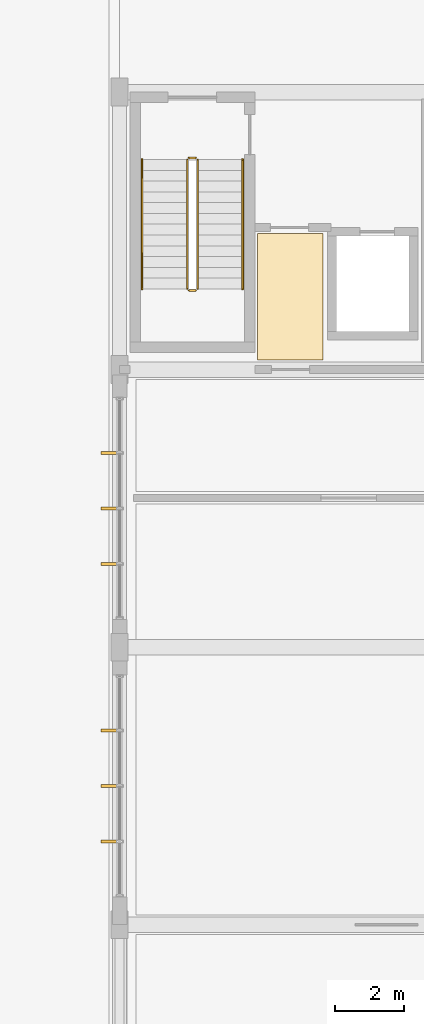
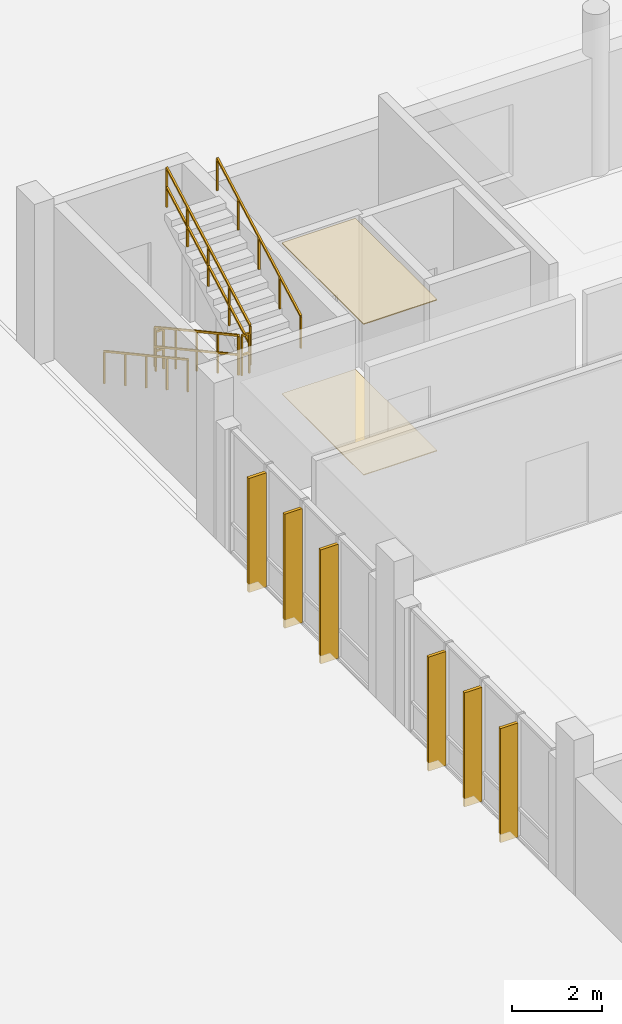
# One storey, part 219 of 233: 6 railings, 6 shading devices, 2 coverings.
"""IFC4 building model written with IfcOpenShell, lengths in metres."""

from ifc_helpers import new_model, si_unit, direction, frame, origin, origin_2d, place, context, subcontext, project, spatial, polyline, rectangle, outline, extrude, material, layer, layer_set, type_object, element, save


model = new_model("IFC4")

# Units and contexts
model_context = context("Model", 3, precision=1e-05, world=origin(), true_north=direction((0.0, 1.0)))
body_context = subcontext(model_context, "Body", "Model", "MODEL_VIEW")
ifc_project = project(units=[si_unit("LENGTHUNIT", "METRE"), si_unit("AREAUNIT", "SQUARE_METRE"), si_unit("VOLUMEUNIT", "CUBIC_METRE"), si_unit("PLANEANGLEUNIT", "RADIAN"), si_unit("MASSUNIT", "GRAM", prefix="KILO")], contexts=[model_context])

# Site, building, storey
site_placement = place(None, origin())
site = spatial("IfcSite", under=ifc_project, at=site_placement, CompositionType="ELEMENT")
building_placement = place(site_placement, origin())
building = spatial("IfcBuilding", under=site, at=building_placement, Name="Zavelmont Quarter", CompositionType="ELEMENT")
storey_placement = place(building_placement, origin())
storey = spatial("IfcBuildingStorey", under=building, at=storey_placement, Name="L00", CompositionType="ELEMENT", Elevation=0.0)

# Coverings
ifc_material_1 = material(Name="Perforated acoustic gypsum board")
ifc_layer_1 = layer(ifc_material_1, 0.02490234375)
ifc_layer_set_1 = layer_set([ifc_layer_1], Name="Perforated acoustic gypsum board")
covering_type_1 = type_object("IfcCoveringType", Name="CV-CL01", PredefinedType="CEILING", material=ifc_layer_set_1)
covering_1_placement = place(storey_placement, frame((0.0, 0.0, 4.094970703125)))
element("IfcCovering", 1, at=covering_1_placement, inside=storey, type_object=covering_type_1, Name="L00 Lobby Vestibule acoustic ceiling", PredefinedType="CEILING", context=body_context, shape_type="SweptSolid", body=[
    extrude(outline(polyline([(59.179931640625, 81.919921875), (61.070068359375, 81.919921875), (61.070068359375, 78.280029296875), (59.179931640625, 78.280029296875), (59.179931640625, 81.919921875)])), origin(), (0.0, 0.0, 1.0), 0.025146484375),
])
ifc_material_2 = material(Name="Engineered European oak parquet")
ifc_layer_2 = layer(ifc_material_2, 0.02197265625)
ifc_layer_set_2 = layer_set([ifc_layer_2], Name="Engineered European oak parquet")
covering_type_2 = type_object("IfcCoveringType", Name="CV-FL01", PredefinedType="FLOORING", material=ifc_layer_set_2)
covering_2_placement = place(storey_placement, origin())
element("IfcCovering", 2, at=covering_2_placement, inside=storey, type_object=covering_type_2, Name="L00 Lobby Vestibule floor finish", PredefinedType="FLOORING", context=body_context, shape_type="SweptSolid", body=[
    extrude(outline(polyline([(59.179931640625, 81.919921875), (61.070068359375, 81.919921875), (61.070068359375, 78.280029296875), (59.179931640625, 78.280029296875), (59.179931640625, 81.919921875)])), origin(), (0.0, 0.0, 1.0), 0.02197265625),
])

# Railings
ifc_material_3 = material(Name="Powder-coated steel stair guardrail", Category="steel")
railing_type_1 = type_object("IfcRailingType", Name="RL-GRD1", PredefinedType="GUARDRAIL", material=ifc_material_3)
railing_1_placement = place(storey_placement, frame((57.14990234375, 84.050048828125, 0.169189453125)))
element("IfcRailing", 3, at=railing_1_placement, inside=storey, type_object=railing_type_1, Name="L00 ST09 stair guardrail 1", PredefinedType="GUARDRAIL", context=body_context, shape_type="SweptSolid", body=[
    extrude(rectangle(XDim=0.048095703125, YDim=0.048095703125, at=origin_2d()), frame((0.0, 0.0, 1.076171875), z_axis=(0.0, -0.877728207833, 0.479158839191), x_axis=(1.0, 0.0, 0.0)), (0.0, 0.0, 1.0), 4.23828125),
    extrude(rectangle(XDim=0.048095703125, YDim=0.048095703125, at=origin_2d()), frame((0.0, 0.0, 0.550048828125), z_axis=(0.0, -0.877728207833, 0.479158839191), x_axis=(1.0, 0.0, 0.0)), (0.0, 0.0, 1.0), 4.23828125),
    extrude(rectangle(XDim=0.0419921875, YDim=0.0419921875, at=origin_2d()), origin(), (0.0, 0.0, 1.0), 1.052001953125),
    extrude(rectangle(XDim=0.0419921875, YDim=0.0419921875, at=origin_2d()), frame((0.0, -0.929931640625, 0.5078125)), (0.0, 0.0, 1.0), 1.052001953125),
    extrude(rectangle(XDim=0.0419921875, YDim=0.0419921875, at=origin_2d()), frame((0.0, -1.85986328125, 1.015380859375)), (0.0, 0.0, 1.0), 1.052001953125),
    extrude(rectangle(XDim=0.0419921875, YDim=0.0419921875, at=origin_2d()), frame((0.0, -2.7900390625, 1.52294921875)), (0.0, 0.0, 1.0), 1.052001953125),
    extrude(rectangle(XDim=0.0419921875, YDim=0.0419921875, at=origin_2d()), frame((0.0, -3.719970703125, 2.03076171875)), (0.0, 0.0, 1.0), 1.052001953125),
])
railing_2_placement = place(storey_placement, frame((57.199951171875, 80.280029296875, 2.199951171875)))
element("IfcRailing", 4, at=railing_2_placement, inside=storey, type_object=railing_type_1, Name="L00 ST09 stair guardrail 2", PredefinedType="GUARDRAIL", context=body_context, shape_type="SweptSolid", body=[
    extrude(rectangle(XDim=0.048095703125, YDim=0.048095703125, at=origin_2d()), frame((0.0, 0.0, 1.076171875), z_axis=(1.0, 0.0, 0.0), x_axis=(0.0, 1.0, 0.0)), (0.0, 0.0, 1.0), 0.199951171875),
    extrude(rectangle(XDim=0.048095703125, YDim=0.048095703125, at=origin_2d()), frame((0.0, 0.0, 0.550048828125), z_axis=(1.0, 0.0, 0.0), x_axis=(0.0, 1.0, 0.0)), (0.0, 0.0, 1.0), 0.199951171875),
    extrude(rectangle(XDim=0.0419921875, YDim=0.0419921875, at=origin_2d()), origin(), (0.0, 0.0, 1.0), 1.052001953125),
    extrude(rectangle(XDim=0.0419921875, YDim=0.0419921875, at=origin_2d()), frame((0.199951171875, 0.0, 0.0)), (0.0, 0.0, 1.0), 1.052001953125),
])
railing_3_placement = place(storey_placement, frame((57.449951171875, 80.330078125, 2.369140625)))
element("IfcRailing", 5, at=railing_3_placement, inside=storey, type_object=railing_type_1, Name="L00 ST09 stair guardrail 3", PredefinedType="GUARDRAIL", context=body_context, shape_type="SweptSolid", body=[
    extrude(rectangle(XDim=0.048095703125, YDim=0.048095703125, at=origin_2d()), frame((0.0, 0.0, 1.076171875), z_axis=(0.0, 0.877728207833, 0.479158839191), x_axis=(-1.0, 0.0, 0.0)), (0.0, 0.0, 1.0), 4.23828125),
    extrude(rectangle(XDim=0.048095703125, YDim=0.048095703125, at=origin_2d()), frame((0.0, 0.0, 0.550048828125), z_axis=(0.0, 0.877728207833, 0.479158839191), x_axis=(-1.0, 0.0, 0.0)), (0.0, 0.0, 1.0), 4.23828125),
    extrude(rectangle(XDim=0.0419921875, YDim=0.0419921875, at=origin_2d()), origin(), (0.0, 0.0, 1.0), 1.052001953125),
    extrude(rectangle(XDim=0.0419921875, YDim=0.0419921875, at=origin_2d()), frame((0.0, 0.929931640625, 0.5078125)), (0.0, 0.0, 1.0), 1.052001953125),
    extrude(rectangle(XDim=0.0419921875, YDim=0.0419921875, at=origin_2d()), frame((0.0, 1.85986328125, 1.015380859375)), (0.0, 0.0, 1.0), 1.052001953125),
    extrude(rectangle(XDim=0.0419921875, YDim=0.0419921875, at=origin_2d()), frame((0.0, 2.7900390625, 1.52294921875)), (0.0, 0.0, 1.0), 1.052001953125),
    extrude(rectangle(XDim=0.0419921875, YDim=0.0419921875, at=origin_2d()), frame((0.0, 3.719970703125, 2.03076171875)), (0.0, 0.0, 1.0), 1.052001953125),
])
railing_4_placement = place(storey_placement, frame((57.199951171875, 84.10009765625, 0.0)))
element("IfcRailing", 6, at=railing_4_placement, inside=storey, type_object=railing_type_1, Name="L00 ST09 stair guardrail 4", PredefinedType="GUARDRAIL", context=body_context, shape_type="SweptSolid", body=[
    extrude(rectangle(XDim=0.048095703125, YDim=0.048095703125, at=origin_2d()), frame((0.0, 0.0, 1.076171875), z_axis=(1.0, 0.0, 0.0), x_axis=(0.0, 1.0, 0.0)), (0.0, 0.0, 1.0), 0.199951171875),
    extrude(rectangle(XDim=0.048095703125, YDim=0.048095703125, at=origin_2d()), frame((0.0, 0.0, 0.550048828125), z_axis=(1.0, 0.0, 0.0), x_axis=(0.0, 1.0, 0.0)), (0.0, 0.0, 1.0), 0.199951171875),
    extrude(rectangle(XDim=0.0419921875, YDim=0.0419921875, at=origin_2d()), origin(), (0.0, 0.0, 1.0), 1.052001953125),
    extrude(rectangle(XDim=0.0419921875, YDim=0.0419921875, at=origin_2d()), frame((0.199951171875, 0.0, 0.0)), (0.0, 0.0, 1.0), 1.052001953125),
])
ifc_material_4 = material(Name="Brushed stainless-steel wall handrail", Category="steel")
railing_type_2 = type_object("IfcRailingType", Name="RL-HND1", PredefinedType="HANDRAIL", material=ifc_material_4)
railing_5_placement = place(storey_placement, frame((55.85009765625, 84.050048828125, 0.169189453125)))
element("IfcRailing", 7, at=railing_5_placement, inside=storey, type_object=railing_type_2, Name="L00 ST09 stair handrail 1", PredefinedType="HANDRAIL", context=body_context, shape_type="SweptSolid", body=[
    extrude(rectangle(XDim=0.048095703125, YDim=0.048095703125, at=origin_2d()), frame((0.0, 0.0, 0.8759765625), z_axis=(0.0, -0.877728207833, 0.479158839191), x_axis=(1.0, 0.0, 0.0)), (0.0, 0.0, 1.0), 4.23828125),
    extrude(rectangle(XDim=0.0419921875, YDim=0.0419921875, at=origin_2d()), origin(), (0.0, 0.0, 1.0), 0.851806640625),
    extrude(rectangle(XDim=0.0419921875, YDim=0.0419921875, at=origin_2d()), frame((0.0, -0.929931640625, 0.5078125)), (0.0, 0.0, 1.0), 0.851806640625),
    extrude(rectangle(XDim=0.0419921875, YDim=0.0419921875, at=origin_2d()), frame((0.0, -1.85986328125, 1.015380859375)), (0.0, 0.0, 1.0), 0.851806640625),
    extrude(rectangle(XDim=0.0419921875, YDim=0.0419921875, at=origin_2d()), frame((0.0, -2.7900390625, 1.52294921875)), (0.0, 0.0, 1.0), 0.851806640625),
    extrude(rectangle(XDim=0.0419921875, YDim=0.0419921875, at=origin_2d()), frame((0.0, -3.719970703125, 2.03076171875)), (0.0, 0.0, 1.0), 0.851806640625),
])
railing_6_placement = place(storey_placement, frame((58.75, 80.330078125, 2.369140625)))
element("IfcRailing", 8, at=railing_6_placement, inside=storey, type_object=railing_type_2, Name="L00 ST09 stair handrail 2", PredefinedType="HANDRAIL", context=body_context, shape_type="SweptSolid", body=[
    extrude(rectangle(XDim=0.048095703125, YDim=0.048095703125, at=origin_2d()), frame((0.0, 0.0, 0.8759765625), z_axis=(0.0, 0.877728207833, 0.479158839191), x_axis=(-1.0, 0.0, 0.0)), (0.0, 0.0, 1.0), 4.23828125),
    extrude(rectangle(XDim=0.0419921875, YDim=0.0419921875, at=origin_2d()), origin(), (0.0, 0.0, 1.0), 0.851806640625),
    extrude(rectangle(XDim=0.0419921875, YDim=0.0419921875, at=origin_2d()), frame((0.0, 0.929931640625, 0.5078125)), (0.0, 0.0, 1.0), 0.851806640625),
    extrude(rectangle(XDim=0.0419921875, YDim=0.0419921875, at=origin_2d()), frame((0.0, 1.85986328125, 1.015380859375)), (0.0, 0.0, 1.0), 0.851806640625),
    extrude(rectangle(XDim=0.0419921875, YDim=0.0419921875, at=origin_2d()), frame((0.0, 2.7900390625, 1.52294921875)), (0.0, 0.0, 1.0), 0.851806640625),
    extrude(rectangle(XDim=0.0419921875, YDim=0.0419921875, at=origin_2d()), frame((0.0, 3.719970703125, 2.03076171875)), (0.0, 0.0, 1.0), 0.851806640625),
])

# Shading devices
ifc_material_5 = material(Name="Anodised aluminium EN AW-6063-T6", Category="aluminium")
shading_device_type = type_object("IfcShadingDeviceType", Name="SD02", PredefinedType="JALOUSIE", material=ifc_material_5)
for number, where, z_axis, x_axis, name in (
    (9, (54.885009765625, 64.39990234375, 0.050048828125), (0.0, 0.0, 1.0), (0.0, 1.0, 0.0), "L00 solar brise-soleil fin SD02"),
    (10, (54.885009765625, 66.0, 0.050048828125), (0.0, 0.0, 1.0), (0.0, 1.0, 0.0), "L00 solar brise-soleil fin SD02"),
    (11, (54.885009765625, 67.60009765625, 0.050048828125), (0.0, 0.0, 1.0), (0.0, 1.0, 0.0), "L00 solar brise-soleil fin SD02"),
    (12, (54.885009765625, 72.39990234375, 0.050048828125), (0.0, 0.0, 1.0), (0.0, 1.0, 0.0), "L00 solar brise-soleil fin SD02"),
    (13, (54.885009765625, 74.0, 0.050048828125), (0.0, 0.0, 1.0), (0.0, 1.0, 0.0), "L00 solar brise-soleil fin SD02"),
    (14, (54.885009765625, 75.60009765625, 0.050048828125), (0.0, 0.0, 1.0), (0.0, 1.0, 0.0), "L00 solar brise-soleil fin SD02"),
):
    element("IfcShadingDevice", number, at=place(storey_placement, frame(where, z_axis=z_axis, x_axis=x_axis)), inside=storey, type_object=shading_device_type, Name=name, PredefinedType="JALOUSIE", context=body_context, shape_type="SweptSolid", body=[
        extrude(rectangle(XDim=0.080078125, YDim=0.449951171875, at=origin_2d()), origin(), (0.0, 0.0, 1.0), 3.10009765625),
    ])

save(model, "model.ifc")
